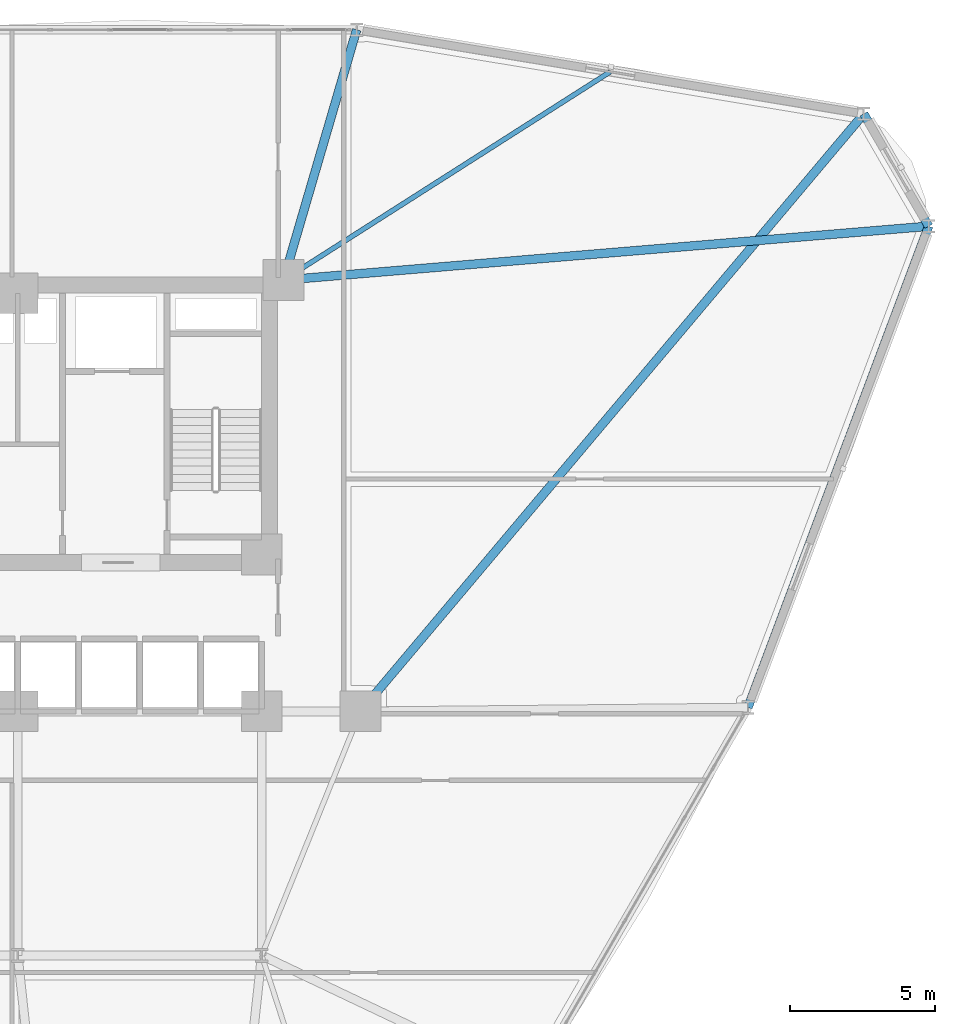
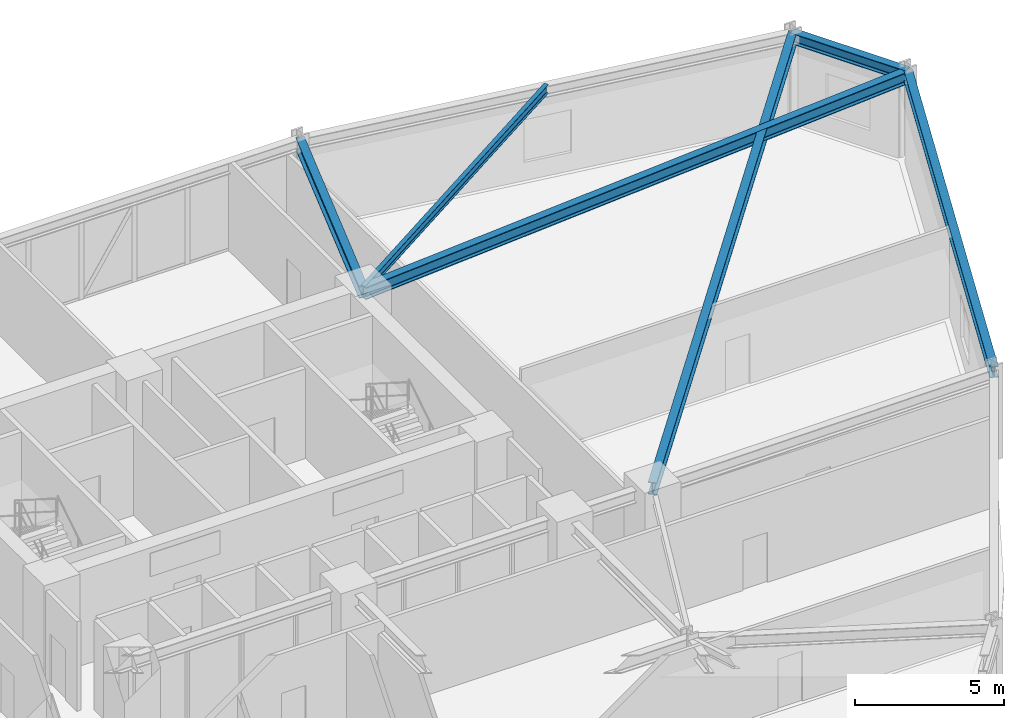
# One storey, part 11 of 20: 6 beams.
"""IFC4 building model written with IfcOpenShell, lengths in metres."""

from ifc_helpers import new_model, si_unit, derived_unit, direction, frame, origin, origin_2d, place, context, subcontext, project, spatial, i_section, extrude, source, transform, mapped, material, material_profile, profile_set, type_object, element, save


model = new_model("IFC4")

# Units and contexts
model_context = context("Model", 3, precision=1e-05, world=origin(), true_north=direction((0.0, 1.0)))
body_context = subcontext(model_context, "Body", "Model", "MODEL_VIEW")
ifc_project = project(units=[si_unit("LENGTHUNIT", "METRE"), si_unit("AREAUNIT", "SQUARE_METRE"), si_unit("VOLUMEUNIT", "CUBIC_METRE"), si_unit("PLANEANGLEUNIT", "RADIAN"), si_unit("MASSUNIT", "GRAM", prefix="KILO"), derived_unit("THERMALTRANSMITTANCEUNIT", [(si_unit("POWERUNIT", "WATT"), 1), (si_unit("LENGTHUNIT", "METRE"), -2), (si_unit("THERMODYNAMICTEMPERATUREUNIT", "KELVIN"), -1)])], contexts=[model_context])

# Site, building, storey
site_placement = place(None, origin())
site = spatial("IfcSite", under=ifc_project, at=site_placement, CompositionType="ELEMENT")
building_placement = place(site_placement, origin())
building = spatial("IfcBuilding", under=site, at=building_placement, Name="Korsvarv Bourse and Concert Hall", CompositionType="ELEMENT")
storey_placement = place(building_placement, frame((0.0, 0.0, 79.5)))
storey = spatial("IfcBuildingStorey", under=building, at=storey_placement, Name="L19", CompositionType="ELEMENT", Elevation=79.5)

# Beams
ifc_material = material(Name="Steel S355", Category="steel")
ifc_material_profile_1 = material_profile(ifc_material, i_section(OverallWidth=0.300048828125, OverallDepth=0.449951171875, WebThickness=0.013916015625, FlangeThickness=0.02587890625, FilletRadius=0.02099609375, at=origin_2d()), Name="HEB 450")
ifc_profile_set_1 = profile_set([ifc_material_profile_1], Name="Steel S355")
beam_type_1 = type_object("IfcBeamType", Name="BM-HEB450", PredefinedType="SPANDREL", material=ifc_profile_set_1)
shared_shape_1 = source(origin(), body_context, "Body", "SweptSolid", [
    extrude(i_section(OverallWidth=0.300048828125, OverallDepth=0.449951171875, WebThickness=0.013916015625, FlangeThickness=0.02587890625, FilletRadius=0.02099609375, at=origin_2d()), origin(), (0.0, 0.0, 1.0), 4.468505859375),
])
beam_1_placement = place(storey_placement, frame((67.3623046875, 49.102294921875, 3.455078125), z_axis=(-0.500040905051, 0.866001785954, 0.0), x_axis=(-0.866001785954, -0.500040905051, 0.0)))
element("IfcBeam", 1, at=beam_1_placement, inside=storey, type_object=beam_type_1, Name="L19 beam B-08", PredefinedType="SPANDREL", context=body_context, shape_type="MappedRepresentation", body=[
    mapped(shared_shape_1, transform((0.0, 0.0, 0.0), scale=1.0)),
])
shared_shape_2 = source(origin(), body_context, "Body", "SweptSolid", [
    extrude(i_section(OverallWidth=0.300048828125, OverallDepth=0.449951171875, WebThickness=0.013916015625, FlangeThickness=0.02587890625, FilletRadius=0.02099609375, at=origin_2d()), origin(), (0.0, 0.0, 1.0), 17.69775390625),
])
beam_2_placement = place(storey_placement, frame((61.140380859375, 32.5341796875, 3.455078125), z_axis=(0.351563328241, 0.936164102194, 0.0), x_axis=(-0.936164102194, 0.351563328241, 0.0)))
element("IfcBeam", 2, at=beam_2_placement, inside=storey, type_object=beam_type_1, Name="L19 beam B-08", PredefinedType="SPANDREL", context=body_context, shape_type="MappedRepresentation", body=[
    mapped(shared_shape_2, transform((0.0, 0.0, 0.0), scale=1.0)),
])
ifc_material_profile_2 = material_profile(ifc_material, i_section(OverallWidth=0.300048828125, OverallDepth=0.5, WebThickness=0.014404296875, FlangeThickness=0.028076171875, FilletRadius=0.02392578125, at=origin_2d()), Name="HEB 500")
ifc_profile_set_2 = profile_set([ifc_material_profile_2], Name="Steel S355")
beam_type_2 = type_object("IfcBeamType", Name="BM-HEB500", PredefinedType="BEAM", material=ifc_profile_set_2)
shared_shape_3 = source(origin(), body_context, "Body", "SweptSolid", [
    extrude(i_section(OverallWidth=0.300048828125, OverallDepth=0.5, WebThickness=0.014404296875, FlangeThickness=0.028076171875, FilletRadius=0.02392578125, at=origin_2d()), origin(), (0.0, 0.0, 1.0), 22.28955078125),
])
beam_3_placement = place(storey_placement, frame((67.3623046875, 49.102294921875, 3.429931640625), z_axis=(-0.996541073237, -0.083101680801, 0.0), x_axis=(0.083101680801, -0.996541073237, 0.0)))
element("IfcBeam", 3, at=beam_3_placement, inside=storey, type_object=beam_type_2, Name="L19 beam B-07", PredefinedType="BEAM", context=body_context, shape_type="MappedRepresentation", body=[
    mapped(shared_shape_3, transform((0.0, 0.0, 0.0), scale=1.0)),
])
shared_shape_4 = source(origin(), body_context, "Body", "SweptSolid", [
    extrude(i_section(OverallWidth=0.300048828125, OverallDepth=0.5, WebThickness=0.014404296875, FlangeThickness=0.028076171875, FilletRadius=0.02392578125, at=origin_2d()), origin(), (0.0, 0.0, 1.0), 26.897216796875),
])
beam_4_placement = place(storey_placement, frame((65.1279296875, 52.971923828125, 3.429931640625), z_axis=(-0.644224346706, -0.764836578042, 0.0), x_axis=(0.764836578042, -0.644224346706, 0.0)))
element("IfcBeam", 4, at=beam_4_placement, inside=storey, type_object=beam_type_2, Name="L19 beam B-07", PredefinedType="BEAM", context=body_context, shape_type="MappedRepresentation", body=[
    mapped(shared_shape_4, transform((0.0, 0.0, 0.0), scale=1.0)),
])
shared_shape_5 = source(origin(), body_context, "Body", "SweptSolid", [
    extrude(i_section(OverallWidth=0.300048828125, OverallDepth=0.5, WebThickness=0.014404296875, FlangeThickness=0.028076171875, FilletRadius=0.02392578125, at=origin_2d()), origin(), (0.0, 0.0, 1.0), 8.978271484375),
])
beam_5_placement = place(storey_placement, frame((47.668701171875, 55.86767578125, 3.429931640625), z_axis=(-0.280545023093, -0.959840867028, 0.0), x_axis=(0.959840867028, -0.280545023093, 0.0)))
element("IfcBeam", 5, at=beam_5_placement, inside=storey, type_object=beam_type_2, Name="L19 beam B-07", PredefinedType="BEAM", context=body_context, shape_type="MappedRepresentation", body=[
    mapped(shared_shape_5, transform((0.0, 0.0, 0.0), scale=1.0)),
])
ifc_material_profile_3 = material_profile(ifc_material, i_section(OverallWidth=0.169921875, OverallDepth=0.360107421875, WebThickness=0.008056640625, FlangeThickness=0.0126953125, FilletRadius=0.01806640625, at=origin_2d()), Name="IPE 360")
ifc_profile_set_3 = profile_set([ifc_material_profile_3], Name="Steel S355")
beam_type_3 = type_object("IfcBeamType", Name="BM-IPE360", PredefinedType="JOIST", material=ifc_profile_set_3)
shared_shape_6 = source(origin(), body_context, "Body", "SweptSolid", [
    extrude(i_section(OverallWidth=0.169921875, OverallDepth=0.360107421875, WebThickness=0.008056640625, FlangeThickness=0.0126953125, FilletRadius=0.01806640625, at=origin_2d()), origin(), (0.0, 0.0, 1.0), 13.33935546875),
])
beam_6_placement = place(storey_placement, frame((56.3984375, 54.419921875, 3.5), z_axis=(-0.84326183268, -0.53750300608, 0.0), x_axis=(0.53750300608, -0.84326183268, 0.0)))
element("IfcBeam", 6, at=beam_6_placement, inside=storey, type_object=beam_type_3, Name="L19 beam J-06", PredefinedType="JOIST", context=body_context, shape_type="MappedRepresentation", body=[
    mapped(shared_shape_6, transform((0.0, 0.0, 0.0), scale=1.0)),
])

save(model, "model.ifc")
